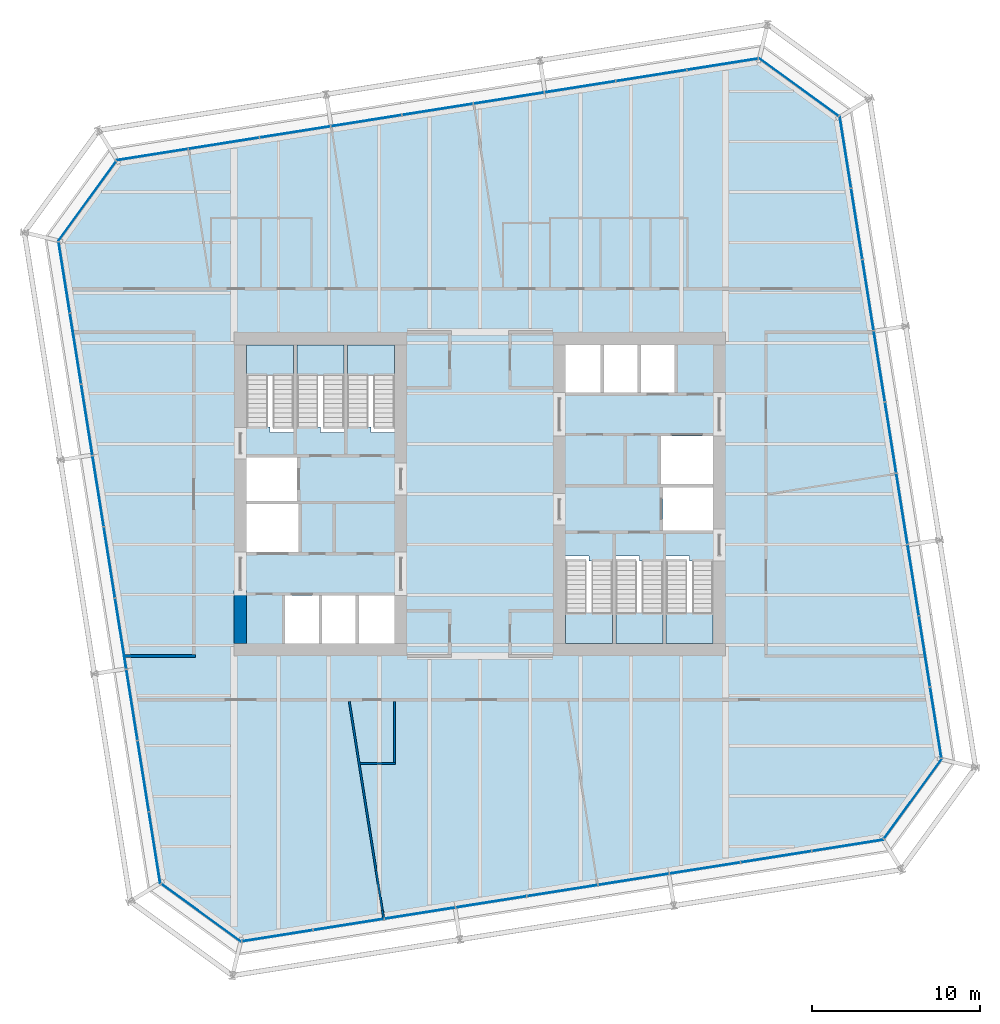
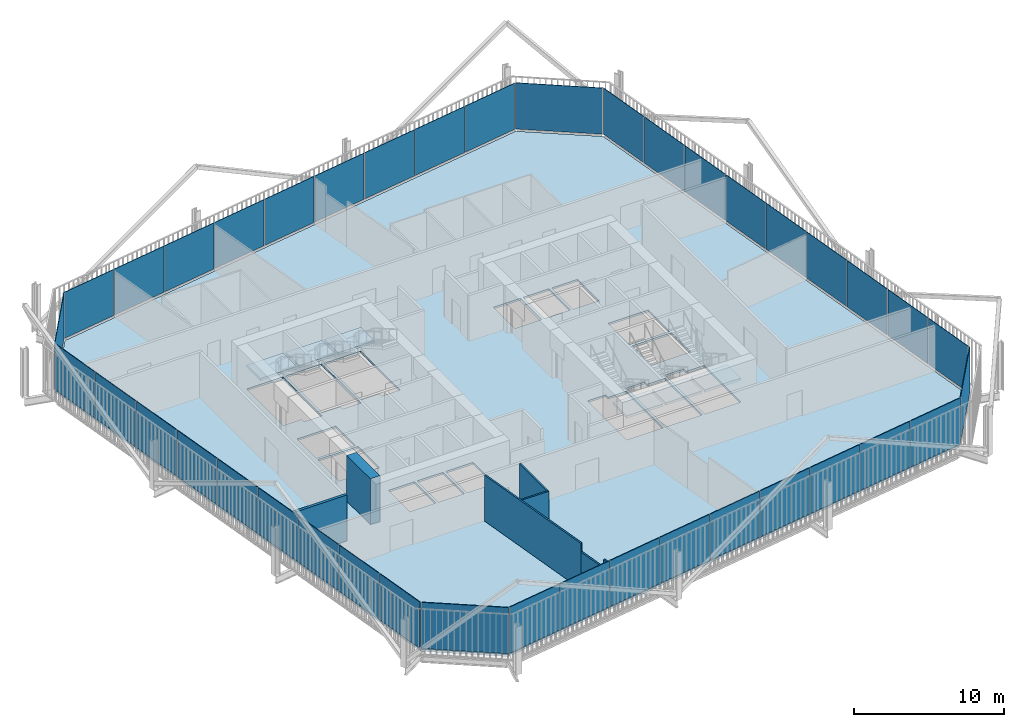
# One storey, part 17 of 22: 40 plates, 7 slabs, 7 walls, 14 elements without a shape of their own.
"""IFC4 building model written with IfcOpenShell, lengths in metres."""

from ifc_helpers import new_model, si_unit, direction, frame, frame_2d, origin, place, context, subcontext, project, spatial, polyline, rectangle, outline, extrude, material, layer, layer_set, type_object, element, aggregate, save


model = new_model("IFC4")

# Units and contexts
model_context = context("Model", 3, precision=1e-05, world=origin(), true_north=direction((0.0, 1.0)))
body_context = subcontext(model_context, "Body", "Model", "MODEL_VIEW")
ifc_project = project(units=[si_unit("LENGTHUNIT", "METRE"), si_unit("AREAUNIT", "SQUARE_METRE"), si_unit("VOLUMEUNIT", "CUBIC_METRE"), si_unit("PLANEANGLEUNIT", "RADIAN"), si_unit("MASSUNIT", "GRAM", prefix="KILO")], contexts=[model_context])

# Site, building, storey
site_placement = place(None, origin())
site = spatial("IfcSite", under=ifc_project, at=site_placement, CompositionType="ELEMENT")
building_placement = place(site_placement, origin())
building = spatial("IfcBuilding", under=site, at=building_placement, Name="Millrace Tower", CompositionType="ELEMENT")
storey_placement = place(building_placement, frame((0.0, 0.0, 180.0)))
storey = spatial("IfcBuildingStorey", under=building, at=storey_placement, Name="L40", CompositionType="ELEMENT", Elevation=180.0)

# Curtain wall, plate
ifc_material_1 = material(Name="Aluminium and glass", Category="aluminium")
ifc_layer_1 = layer(ifc_material_1, 0.14990234375)
ifc_layer_set_1 = layer_set([ifc_layer_1], Name="Aluminium and glass")
curtain_wall_type = type_object("IfcCurtainWallType", Name="CW-1 office vision curtain wall", PredefinedType="NOTDEFINED", material=ifc_layer_set_1)
placement_1 = place(storey_placement, origin())
curtain_wall_1 = element("IfcCurtainWall", 1, at=placement_1, inside=storey, type_object=curtain_wall_type, Name="Curtain wall C-F01 L40", PredefinedType="NOTDEFINED")
ifc_material_2 = material(Name="Glass", Category="glass")
ifc_layer_2 = layer(ifc_material_2, 0.0439453125)
ifc_layer_set_2 = layer_set([ifc_layer_2], Name="Glass")
plate_type = type_object("IfcPlateType", Name="CW-1 office vision curtain wall triple-glazed vision panel", PredefinedType="CURTAIN_PANEL", material=ifc_layer_set_2)
placement_2 = place(storey_placement, frame((0.0, 0.0, 0.139892578125)))
plate_1 = element("IfcPlate", 2, at=placement_2, type_object=plate_type, Name="CW1 panel C-F01.1", PredefinedType="CURTAIN_PANEL", context=body_context, shape_type="SweptSolid", body=[
    extrude(outline(polyline([(-18.988037109375, -23.254638671875), (-14.260009765625, -26.689697265625), (-14.2490234375, -26.6435546875), (-18.962158203125, -23.218994140625), (-18.988037109375, -23.254638671875)])), origin(), (0.0, 0.0, 1.0), 3.760009765625),
])
aggregate(curtain_wall_1, [plate_1])

# Curtain wall, plates
curtain_wall_2 = element("IfcCurtainWall", 3, at=placement_1, inside=storey, type_object=curtain_wall_type, Name="Curtain wall C-F02 L40", PredefinedType="NOTDEFINED")
plate_2 = element("IfcPlate", 4, at=placement_2, type_object=plate_type, Name="CW1 panel C-F02.1", PredefinedType="CURTAIN_PANEL", context=body_context, shape_type="SweptSolid", body=[
    extrude(outline(polyline([(-14.15625, -26.67333984375), (-9.973388671875, -26.0107421875), (-9.980224609375, -25.96728515625), (-14.1630859375, -26.6298828125), (-14.15625, -26.67333984375)])), origin(), (0.0, 0.0, 1.0), 3.760009765625),
])
plate_3 = element("IfcPlate", 5, at=placement_2, type_object=plate_type, Name="CW1 panel C-F02.2", PredefinedType="CURTAIN_PANEL", context=body_context, shape_type="SweptSolid", body=[
    extrude(outline(polyline([(-9.9091796875, -26.000732421875), (-5.726318359375, -25.338134765625), (-5.733154296875, -25.294677734375), (-9.916015625, -25.957275390625), (-9.9091796875, -26.000732421875)])), origin(), (0.0, 0.0, 1.0), 3.760009765625),
])
plate_4 = element("IfcPlate", 6, at=placement_2, type_object=plate_type, Name="CW1 panel C-F02.3", PredefinedType="CURTAIN_PANEL", context=body_context, shape_type="SweptSolid", body=[
    extrude(outline(polyline([(-5.662109375, -25.327880859375), (-1.479248046875, -24.66552734375), (-1.486083984375, -24.6220703125), (-5.6689453125, -25.284423828125), (-5.662109375, -25.327880859375)])), origin(), (0.0, 0.0, 1.0), 3.760009765625),
])
plate_5 = element("IfcPlate", 7, at=placement_2, type_object=plate_type, Name="CW1 panel C-F02.4", PredefinedType="CURTAIN_PANEL", context=body_context, shape_type="SweptSolid", body=[
    extrude(outline(polyline([(-1.4150390625, -24.6552734375), (2.767822265625, -23.992919921875), (2.760986328125, -23.949462890625), (-1.421875, -24.61181640625), (-1.4150390625, -24.6552734375)])), origin(), (0.0, 0.0, 1.0), 3.760009765625),
])
plate_6 = element("IfcPlate", 8, at=placement_2, type_object=plate_type, Name="CW1 panel C-F02.5", PredefinedType="CURTAIN_PANEL", context=body_context, shape_type="SweptSolid", body=[
    extrude(outline(polyline([(2.83203125, -23.982666015625), (7.014892578125, -23.320068359375), (7.008056640625, -23.276611328125), (2.8251953125, -23.939208984375), (2.83203125, -23.982666015625)])), origin(), (0.0, 0.0, 1.0), 3.760009765625),
])
plate_7 = element("IfcPlate", 9, at=placement_2, type_object=plate_type, Name="CW1 panel C-F02.6", PredefinedType="CURTAIN_PANEL", context=body_context, shape_type="SweptSolid", body=[
    extrude(outline(polyline([(7.0791015625, -23.31005859375), (11.261962890625, -22.6474609375), (11.255126953125, -22.60400390625), (7.072265625, -23.2666015625), (7.0791015625, -23.31005859375)])), origin(), (0.0, 0.0, 1.0), 3.760009765625),
])
plate_8 = element("IfcPlate", 10, at=placement_2, type_object=plate_type, Name="CW1 panel C-F02.7", PredefinedType="CURTAIN_PANEL", context=body_context, shape_type="SweptSolid", body=[
    extrude(outline(polyline([(11.326171875, -22.63720703125), (15.509033203125, -21.974853515625), (15.502197265625, -21.931396484375), (11.3193359375, -22.59375), (11.326171875, -22.63720703125)])), origin(), (0.0, 0.0, 1.0), 3.760009765625),
])
plate_9 = element("IfcPlate", 11, at=placement_2, type_object=plate_type, Name="CW1 panel C-F02.8", PredefinedType="CURTAIN_PANEL", context=body_context, shape_type="SweptSolid", body=[
    extrude(outline(polyline([(15.5732421875, -21.964599609375), (19.756103515625, -21.30224609375), (19.749267578125, -21.2587890625), (15.56640625, -21.921142578125), (15.5732421875, -21.964599609375)])), origin(), (0.0, 0.0, 1.0), 3.760009765625),
])
plate_10 = element("IfcPlate", 12, at=placement_2, type_object=plate_type, Name="CW1 panel C-F02.9", PredefinedType="CURTAIN_PANEL", context=body_context, shape_type="SweptSolid", body=[
    extrude(outline(polyline([(19.8203125, -21.2919921875), (24.042724609375, -20.623291015625), (24.01806640625, -20.58251953125), (19.8134765625, -21.24853515625), (19.8203125, -21.2919921875)])), origin(), (0.0, 0.0, 1.0), 3.760009765625),
])
aggregate(curtain_wall_2, [plate_2, plate_3, plate_4, plate_5, plate_6, plate_7, plate_8, plate_9, plate_10])

# Curtain wall, plate
curtain_wall_3 = element("IfcCurtainWall", 13, at=placement_1, inside=storey, type_object=curtain_wall_type, Name="Curtain wall C-F03 L40", PredefinedType="NOTDEFINED")
plate_11 = element("IfcPlate", 14, at=placement_2, type_object=plate_type, Name="CW1 panel C-F03.1", PredefinedType="CURTAIN_PANEL", context=body_context, shape_type="SweptSolid", body=[
    extrude(outline(polyline([(24.104736328125, -20.5380859375), (27.539794921875, -15.81005859375), (27.493408203125, -15.799072265625), (24.069091796875, -20.51220703125), (24.104736328125, -20.5380859375)])), origin(), (0.0, 0.0, 1.0), 3.760009765625),
])
aggregate(curtain_wall_3, [plate_11])

# Curtain wall, plates
curtain_wall_4 = element("IfcCurtainWall", 15, at=placement_1, inside=storey, type_object=curtain_wall_type, Name="Curtain wall C-F04 L40", PredefinedType="NOTDEFINED")
plate_12 = element("IfcPlate", 16, at=placement_2, type_object=plate_type, Name="CW1 panel C-F04.1", PredefinedType="CURTAIN_PANEL", context=body_context, shape_type="SweptSolid", body=[
    extrude(outline(polyline([(27.5234375, -15.706298828125), (26.86083984375, -11.5234375), (26.8173828125, -11.5302734375), (27.47998046875, -15.713134765625), (27.5234375, -15.706298828125)])), origin(), (0.0, 0.0, 1.0), 3.760009765625),
])
plate_13 = element("IfcPlate", 17, at=placement_2, type_object=plate_type, Name="CW1 panel C-F04.2", PredefinedType="CURTAIN_PANEL", context=body_context, shape_type="SweptSolid", body=[
    extrude(outline(polyline([(26.8505859375, -11.459228515625), (26.188232421875, -7.2763671875), (26.144775390625, -7.283203125), (26.80712890625, -11.466064453125), (26.8505859375, -11.459228515625)])), origin(), (0.0, 0.0, 1.0), 3.760009765625),
])
plate_14 = element("IfcPlate", 18, at=placement_2, type_object=plate_type, Name="CW1 panel C-F04.3", PredefinedType="CURTAIN_PANEL", context=body_context, shape_type="SweptSolid", body=[
    extrude(outline(polyline([(26.177978515625, -7.212158203125), (25.515380859375, -3.029296875), (25.471923828125, -3.0361328125), (26.134521484375, -7.218994140625), (26.177978515625, -7.212158203125)])), origin(), (0.0, 0.0, 1.0), 3.760009765625),
])
plate_15 = element("IfcPlate", 19, at=placement_2, type_object=plate_type, Name="CW1 panel C-F04.4", PredefinedType="CURTAIN_PANEL", context=body_context, shape_type="SweptSolid", body=[
    extrude(outline(polyline([(25.50537109375, -2.965087890625), (24.8427734375, 1.2177734375), (24.79931640625, 1.2109375), (25.4619140625, -2.971923828125), (25.50537109375, -2.965087890625)])), origin(), (0.0, 0.0, 1.0), 3.760009765625),
])
plate_16 = element("IfcPlate", 20, at=placement_2, type_object=plate_type, Name="CW1 panel C-F04.5", PredefinedType="CURTAIN_PANEL", context=body_context, shape_type="SweptSolid", body=[
    extrude(outline(polyline([(24.832763671875, 1.281982421875), (24.170166015625, 5.46484375), (24.126708984375, 5.4580078125), (24.789306640625, 1.275146484375), (24.832763671875, 1.281982421875)])), origin(), (0.0, 0.0, 1.0), 3.760009765625),
])
plate_17 = element("IfcPlate", 21, at=placement_2, type_object=plate_type, Name="CW1 panel C-F04.6", PredefinedType="CURTAIN_PANEL", context=body_context, shape_type="SweptSolid", body=[
    extrude(outline(polyline([(24.159912109375, 5.529052734375), (23.49755859375, 9.7119140625), (23.4541015625, 9.705078125), (24.116455078125, 5.522216796875), (24.159912109375, 5.529052734375)])), origin(), (0.0, 0.0, 1.0), 3.760009765625),
])
plate_18 = element("IfcPlate", 22, at=placement_2, type_object=plate_type, Name="CW1 panel C-F04.7", PredefinedType="CURTAIN_PANEL", context=body_context, shape_type="SweptSolid", body=[
    extrude(outline(polyline([(23.4873046875, 9.776123046875), (22.82470703125, 13.958984375), (22.78125, 13.9521484375), (23.44384765625, 9.769287109375), (23.4873046875, 9.776123046875)])), origin(), (0.0, 0.0, 1.0), 3.760009765625),
])
plate_19 = element("IfcPlate", 23, at=placement_2, type_object=plate_type, Name="CW1 panel C-F04.8", PredefinedType="CURTAIN_PANEL", context=body_context, shape_type="SweptSolid", body=[
    extrude(outline(polyline([(22.814697265625, 14.023193359375), (22.152099609375, 18.2060546875), (22.108642578125, 18.19921875), (22.771240234375, 14.016357421875), (22.814697265625, 14.023193359375)])), origin(), (0.0, 0.0, 1.0), 3.760009765625),
])
plate_20 = element("IfcPlate", 24, at=placement_2, type_object=plate_type, Name="CW1 panel C-F04.9", PredefinedType="CURTAIN_PANEL", context=body_context, shape_type="SweptSolid", body=[
    extrude(outline(polyline([(22.14208984375, 18.270263671875), (21.47314453125, 22.492919921875), (21.4326171875, 22.468017578125), (22.0986328125, 18.263427734375), (22.14208984375, 18.270263671875)])), origin(), (0.0, 0.0, 1.0), 3.760009765625),
])
aggregate(curtain_wall_4, [plate_12, plate_13, plate_14, plate_15, plate_16, plate_17, plate_18, plate_19, plate_20])

# Curtain wall, plate
curtain_wall_5 = element("IfcCurtainWall", 25, at=placement_1, inside=storey, type_object=curtain_wall_type, Name="Curtain wall C-F05 L40", PredefinedType="NOTDEFINED")
plate_21 = element("IfcPlate", 26, at=placement_2, type_object=plate_type, Name="CW1 panel C-F05.1", PredefinedType="CURTAIN_PANEL", context=body_context, shape_type="SweptSolid", body=[
    extrude(outline(polyline([(21.38818359375, 22.5546875), (16.66015625, 25.98974609375), (16.64892578125, 25.943359375), (21.3623046875, 22.51904296875), (21.38818359375, 22.5546875)])), origin(), (0.0, 0.0, 1.0), 3.760009765625),
])
aggregate(curtain_wall_5, [plate_21])

# Curtain wall, plates
curtain_wall_6 = element("IfcCurtainWall", 27, at=placement_1, inside=storey, type_object=curtain_wall_type, Name="Curtain wall C-F06 L40", PredefinedType="NOTDEFINED")
plate_22 = element("IfcPlate", 28, at=placement_2, type_object=plate_type, Name="CW1 panel C-F06.1", PredefinedType="CURTAIN_PANEL", context=body_context, shape_type="SweptSolid", body=[
    extrude(outline(polyline([(16.55615234375, 25.973388671875), (12.373291015625, 25.310791015625), (12.380126953125, 25.267333984375), (16.56298828125, 25.929931640625), (16.55615234375, 25.973388671875)])), origin(), (0.0, 0.0, 1.0), 3.760009765625),
])
plate_23 = element("IfcPlate", 29, at=placement_2, type_object=plate_type, Name="CW1 panel C-F06.2", PredefinedType="CURTAIN_PANEL", context=body_context, shape_type="SweptSolid", body=[
    extrude(outline(polyline([(12.30908203125, 25.300537109375), (8.126220703125, 24.63818359375), (8.133056640625, 24.5947265625), (12.31591796875, 25.257080078125), (12.30908203125, 25.300537109375)])), origin(), (0.0, 0.0, 1.0), 3.760009765625),
])
plate_24 = element("IfcPlate", 30, at=placement_2, type_object=plate_type, Name="CW1 panel C-F06.3", PredefinedType="CURTAIN_PANEL", context=body_context, shape_type="SweptSolid", body=[
    extrude(outline(polyline([(8.06201171875, 24.6279296875), (3.879150390625, 23.965576171875), (3.885986328125, 23.922119140625), (8.06884765625, 24.58447265625), (8.06201171875, 24.6279296875)])), origin(), (0.0, 0.0, 1.0), 3.760009765625),
])
plate_25 = element("IfcPlate", 31, at=placement_2, type_object=plate_type, Name="CW1 panel C-F06.4", PredefinedType="CURTAIN_PANEL", context=body_context, shape_type="SweptSolid", body=[
    extrude(outline(polyline([(3.81494140625, 23.955322265625), (-0.367919921875, 23.292724609375), (-0.361083984375, 23.249267578125), (3.82177734375, 23.911865234375), (3.81494140625, 23.955322265625)])), origin(), (0.0, 0.0, 1.0), 3.760009765625),
])
plate_26 = element("IfcPlate", 32, at=placement_2, type_object=plate_type, Name="CW1 panel C-F06.5", PredefinedType="CURTAIN_PANEL", context=body_context, shape_type="SweptSolid", body=[
    extrude(outline(polyline([(-0.43212890625, 23.28271484375), (-4.614990234375, 22.6201171875), (-4.60791015625, 22.57666015625), (-0.42529296875, 23.2392578125), (-0.43212890625, 23.28271484375)])), origin(), (0.0, 0.0, 1.0), 3.760009765625),
])
plate_27 = element("IfcPlate", 33, at=placement_2, type_object=plate_type, Name="CW1 panel C-F06.6", PredefinedType="CURTAIN_PANEL", context=body_context, shape_type="SweptSolid", body=[
    extrude(outline(polyline([(-4.67919921875, 22.60986328125), (-8.862060546875, 21.947509765625), (-8.85498046875, 21.904052734375), (-4.672119140625, 22.56640625), (-4.67919921875, 22.60986328125)])), origin(), (0.0, 0.0, 1.0), 3.760009765625),
])
plate_28 = element("IfcPlate", 34, at=placement_2, type_object=plate_type, Name="CW1 panel C-F06.7", PredefinedType="CURTAIN_PANEL", context=body_context, shape_type="SweptSolid", body=[
    extrude(outline(polyline([(-8.92626953125, 21.937255859375), (-13.109130859375, 21.27490234375), (-13.10205078125, 21.2314453125), (-8.919189453125, 21.893798828125), (-8.92626953125, 21.937255859375)])), origin(), (0.0, 0.0, 1.0), 3.760009765625),
])
plate_29 = element("IfcPlate", 35, at=placement_2, type_object=plate_type, Name="CW1 panel C-F06.8", PredefinedType="CURTAIN_PANEL", context=body_context, shape_type="SweptSolid", body=[
    extrude(outline(polyline([(-13.17333984375, 21.2646484375), (-17.356201171875, 20.60205078125), (-17.34912109375, 20.55859375), (-13.166259765625, 21.22119140625), (-13.17333984375, 21.2646484375)])), origin(), (0.0, 0.0, 1.0), 3.760009765625),
])
plate_30 = element("IfcPlate", 36, at=placement_2, type_object=plate_type, Name="CW1 panel C-F06.9", PredefinedType="CURTAIN_PANEL", context=body_context, shape_type="SweptSolid", body=[
    extrude(outline(polyline([(-17.42041015625, 20.592041015625), (-21.642822265625, 19.923095703125), (-21.617919921875, 19.882568359375), (-17.413330078125, 20.548583984375), (-17.42041015625, 20.592041015625)])), origin(), (0.0, 0.0, 1.0), 3.760009765625),
])
aggregate(curtain_wall_6, [plate_22, plate_23, plate_24, plate_25, plate_26, plate_27, plate_28, plate_29, plate_30])

# Curtain wall, plate
curtain_wall_7 = element("IfcCurtainWall", 37, at=placement_1, inside=storey, type_object=curtain_wall_type, Name="Curtain wall C-F07 L40", PredefinedType="NOTDEFINED")
plate_31 = element("IfcPlate", 38, at=placement_2, type_object=plate_type, Name="CW1 panel C-F07.1", PredefinedType="CURTAIN_PANEL", context=body_context, shape_type="SweptSolid", body=[
    extrude(outline(polyline([(-21.70458984375, 19.838134765625), (-25.139892578125, 15.110107421875), (-25.093505859375, 15.098876953125), (-21.6689453125, 19.812255859375), (-21.70458984375, 19.838134765625)])), origin(), (0.0, 0.0, 1.0), 3.760009765625),
])
aggregate(curtain_wall_7, [plate_31])

# Curtain wall, plates
curtain_wall_8 = element("IfcCurtainWall", 39, at=placement_1, inside=storey, type_object=curtain_wall_type, Name="Curtain wall C-F08 L40", PredefinedType="NOTDEFINED")
plate_32 = element("IfcPlate", 40, at=placement_2, type_object=plate_type, Name="CW1 panel C-F08.1", PredefinedType="CURTAIN_PANEL", context=body_context, shape_type="SweptSolid", body=[
    extrude(outline(polyline([(-25.123291015625, 15.006103515625), (-24.4609375, 10.8232421875), (-24.41748046875, 10.830322265625), (-25.079833984375, 15.01318359375), (-25.123291015625, 15.006103515625)])), origin(), (0.0, 0.0, 1.0), 3.760009765625),
])
plate_33 = element("IfcPlate", 41, at=placement_2, type_object=plate_type, Name="CW1 panel C-F08.2", PredefinedType="CURTAIN_PANEL", context=body_context, shape_type="SweptSolid", body=[
    extrude(outline(polyline([(-24.45068359375, 10.759033203125), (-23.7880859375, 6.576171875), (-23.74462890625, 6.583251953125), (-24.4072265625, 10.76611328125), (-24.45068359375, 10.759033203125)])), origin(), (0.0, 0.0, 1.0), 3.760009765625),
])
plate_34 = element("IfcPlate", 42, at=placement_2, type_object=plate_type, Name="CW1 panel C-F08.3", PredefinedType="CURTAIN_PANEL", context=body_context, shape_type="SweptSolid", body=[
    extrude(outline(polyline([(-23.778076171875, 6.511962890625), (-23.115478515625, 2.3291015625), (-23.072021484375, 2.336181640625), (-23.734619140625, 6.51904296875), (-23.778076171875, 6.511962890625)])), origin(), (0.0, 0.0, 1.0), 3.760009765625),
])
plate_35 = element("IfcPlate", 43, at=placement_2, type_object=plate_type, Name="CW1 panel C-F08.4", PredefinedType="CURTAIN_PANEL", context=body_context, shape_type="SweptSolid", body=[
    extrude(outline(polyline([(-23.105224609375, 2.264892578125), (-22.44287109375, -1.91796875), (-22.3994140625, -1.910888671875), (-23.061767578125, 2.27197265625), (-23.105224609375, 2.264892578125)])), origin(), (0.0, 0.0, 1.0), 3.760009765625),
])
plate_36 = element("IfcPlate", 44, at=placement_2, type_object=plate_type, Name="CW1 panel C-F08.5", PredefinedType="CURTAIN_PANEL", context=body_context, shape_type="SweptSolid", body=[
    extrude(outline(polyline([(-22.4326171875, -1.98193359375), (-21.770263671875, -6.164794921875), (-21.726806640625, -6.157958984375), (-22.38916015625, -1.97509765625), (-22.4326171875, -1.98193359375)])), origin(), (0.0, 0.0, 1.0), 3.760009765625),
])
plate_37 = element("IfcPlate", 45, at=placement_2, type_object=plate_type, Name="CW1 panel C-F08.6", PredefinedType="CURTAIN_PANEL", context=body_context, shape_type="SweptSolid", body=[
    extrude(outline(polyline([(-21.760009765625, -6.22900390625), (-21.097412109375, -10.411865234375), (-21.053955078125, -10.405029296875), (-21.716552734375, -6.22216796875), (-21.760009765625, -6.22900390625)])), origin(), (0.0, 0.0, 1.0), 3.760009765625),
])
plate_38 = element("IfcPlate", 46, at=placement_2, type_object=plate_type, Name="CW1 panel C-F08.7", PredefinedType="CURTAIN_PANEL", context=body_context, shape_type="SweptSolid", body=[
    extrude(outline(polyline([(-21.08740234375, -10.47607421875), (-20.4248046875, -14.658935546875), (-20.38134765625, -14.652099609375), (-21.0439453125, -10.46923828125), (-21.08740234375, -10.47607421875)])), origin(), (0.0, 0.0, 1.0), 3.760009765625),
])
plate_39 = element("IfcPlate", 47, at=placement_2, type_object=plate_type, Name="CW1 panel C-F08.8", PredefinedType="CURTAIN_PANEL", context=body_context, shape_type="SweptSolid", body=[
    extrude(outline(polyline([(-20.41455078125, -14.72314453125), (-19.752197265625, -18.906005859375), (-19.708740234375, -18.899169921875), (-20.37109375, -14.71630859375), (-20.41455078125, -14.72314453125)])), origin(), (0.0, 0.0, 1.0), 3.760009765625),
])
plate_40 = element("IfcPlate", 48, at=placement_2, type_object=plate_type, Name="CW1 panel C-F08.9", PredefinedType="CURTAIN_PANEL", context=body_context, shape_type="SweptSolid", body=[
    extrude(outline(polyline([(-19.741943359375, -18.97021484375), (-19.0732421875, -23.19287109375), (-19.032470703125, -23.16796875), (-19.698486328125, -18.96337890625), (-19.741943359375, -18.97021484375)])), origin(), (0.0, 0.0, 1.0), 3.760009765625),
])
aggregate(curtain_wall_8, [plate_32, plate_33, plate_34, plate_35, plate_36, plate_37, plate_38, plate_39, plate_40])

# Slab
ifc_material_3 = material(Name="Concrete C35 on steel deck", Category="concrete")
ifc_layer_3 = layer(ifc_material_3, 0.159912109375)
ifc_layer_set_3 = layer_set([ifc_layer_3], Name="Concrete C35 on steel deck")
slab_type_1 = type_object("IfcSlabType", Name="Composite floor slab 160 mm", PredefinedType="FLOOR", material=ifc_layer_set_3)
slab_1_placement = place(storey_placement, frame((0.0, 0.0, -0.159912109375)))
element("IfcSlab", 49, at=slab_1_placement, inside=storey, type_object=slab_type_1, Name="SL-C-L40-S1", PredefinedType="FLOOR", context=body_context, shape_type="SweptSolid", body=[
    extrude(outline(polyline([(-18.983642578125, -23.137939453125), (-14.235595703125, -26.587646484375), (23.988037109375, -20.53369140625), (27.437744140625, -15.78564453125), (21.3837890625, 22.43798828125), (16.635498046875, 25.8876953125), (-21.587890625, 19.833740234375), (-25.03759765625, 15.08544921875), (-18.983642578125, -23.137939453125)]), holes=[polyline([(-11.60009765625, -8.89990234375), (-9.60009765625, -8.89990234375), (-9.60009765625, -6.050048828125), (-11.60009765625, -6.050048828125), (-11.60009765625, -8.89990234375)]), polyline([(-9.39990234375, -8.89990234375), (-7.39990234375, -8.89990234375), (-7.39990234375, -6.050048828125), (-9.39990234375, -6.050048828125), (-9.39990234375, -8.89990234375)]), polyline([(-7.199951171875, -8.89990234375), (-5.10009765625, -8.89990234375), (-5.10009765625, -6.050048828125), (-7.199951171875, -6.050048828125), (-7.199951171875, -8.89990234375)]), polyline([(-13.89990234375, -3.449951171875), (-10.800048828125, -3.449951171875), (-10.800048828125, -0.60009765625), (-13.89990234375, -0.60009765625), (-13.89990234375, -3.449951171875)]), polyline([(-13.89990234375, -0.39990234375), (-10.89990234375, -0.39990234375), (-10.89990234375, 2.179931640625), (-13.89990234375, 2.179931640625), (-13.89990234375, -0.39990234375)]), polyline([(-11.10009765625, 8.89990234375), (-12.5, 8.89990234375), (-13.89990234375, 8.89990234375), (-13.89990234375, 4.0), (-12.5, 4.0), (-12.5, 3.679931640625), (-11.10009765625, 3.679931640625), (-11.10009765625, 8.89990234375)]), polyline([(-8.10009765625, 8.89990234375), (-9.5, 8.89990234375), (-10.89990234375, 8.89990234375), (-10.89990234375, 4.0), (-9.5, 4.0), (-9.5, 3.679931640625), (-8.10009765625, 3.679931640625), (-8.10009765625, 8.89990234375)]), polyline([(-5.10009765625, 8.89990234375), (-6.5, 8.89990234375), (-7.89990234375, 8.89990234375), (-7.89990234375, 4.0), (-6.5, 4.0), (-6.5, 3.679931640625), (-5.10009765625, 3.679931640625), (-5.10009765625, 8.89990234375)]), polyline([(9.60009765625, 6.050048828125), (11.60009765625, 6.050048828125), (11.60009765625, 8.89990234375), (9.60009765625, 8.89990234375), (9.60009765625, 6.050048828125)]), polyline([(7.39990234375, 6.050048828125), (9.39990234375, 6.050048828125), (9.39990234375, 8.89990234375), (7.39990234375, 8.89990234375), (7.39990234375, 6.050048828125)]), polyline([(5.10009765625, 6.050048828125), (7.199951171875, 6.050048828125), (7.199951171875, 8.89990234375), (5.10009765625, 8.89990234375), (5.10009765625, 6.050048828125)]), polyline([(10.800048828125, 0.60009765625), (13.89990234375, 0.60009765625), (13.89990234375, 3.449951171875), (10.800048828125, 3.449951171875), (10.800048828125, 0.60009765625)]), polyline([(10.89990234375, -2.179931640625), (13.89990234375, -2.179931640625), (13.89990234375, 0.39990234375), (10.89990234375, 0.39990234375), (10.89990234375, -2.179931640625)]), polyline([(13.89990234375, -4.0), (12.5, -4.0), (12.5, -3.679931640625), (11.10009765625, -3.679931640625), (11.10009765625, -8.89990234375), (12.5, -8.89990234375), (13.89990234375, -8.89990234375), (13.89990234375, -4.0)]), polyline([(10.89990234375, -4.0), (9.5, -4.0), (9.5, -3.679931640625), (8.10009765625, -3.679931640625), (8.10009765625, -8.89990234375), (9.5, -8.89990234375), (10.89990234375, -8.89990234375), (10.89990234375, -4.0)]), polyline([(7.89990234375, -4.0), (6.5, -4.0), (6.5, -3.679931640625), (5.10009765625, -3.679931640625), (5.10009765625, -8.89990234375), (6.5, -8.89990234375), (7.89990234375, -8.89990234375), (7.89990234375, -4.0)])]), origin(), (0.0, 0.0, 1.0), 0.159912109375),
])

# Stair, slab
ifc_material_4 = material(Name="Concrete C35", Category="concrete")
stair_type = type_object("IfcStairType", Name="Exit stair", PredefinedType="HALF_TURN_STAIR", material=ifc_material_4)
stair_1 = element("IfcStair", 50, at=placement_1, inside=storey, type_object=stair_type, Name="Stair 1 W L40", PredefinedType="HALF_TURN_STAIR")
ifc_material_5 = material(Name="Concrete C40", Category="concrete")
ifc_layer_4 = layer(ifc_material_5, 0.199951171875)
ifc_layer_set_4 = layer_set([ifc_layer_4], Name="Concrete C40")
slab_type_2 = type_object("IfcSlabType", Name="Stair landing", PredefinedType="LANDING", material=ifc_layer_set_4)
placement_3 = place(storey_placement, frame((0.0, 0.0, 1.75)))
slab_2 = element("IfcSlab", 51, at=placement_3, type_object=slab_type_2, Name="ST12 landing 1", PredefinedType="LANDING", context=body_context, shape_type="SweptSolid", body=[
    extrude(outline(polyline([(-13.89990234375, 7.080078125), (-11.10009765625, 7.080078125), (-11.10009765625, 8.89990234375), (-13.89990234375, 8.89990234375), (-13.89990234375, 7.080078125)])), origin(), (0.0, 0.0, 1.0), 0.199951171875),
])
aggregate(stair_1, [slab_2])

stair_2 = element("IfcStair", 52, at=placement_1, inside=storey, type_object=stair_type, Name="Stair 2 W L40", PredefinedType="HALF_TURN_STAIR")
slab_3 = element("IfcSlab", 53, at=placement_3, type_object=slab_type_2, Name="ST12 landing 1", PredefinedType="LANDING", context=body_context, shape_type="SweptSolid", body=[
    extrude(outline(polyline([(-10.89990234375, 7.080078125), (-8.10009765625, 7.080078125), (-8.10009765625, 8.89990234375), (-10.89990234375, 8.89990234375), (-10.89990234375, 7.080078125)])), origin(), (0.0, 0.0, 1.0), 0.199951171875),
])
aggregate(stair_2, [slab_3])

stair_3 = element("IfcStair", 54, at=placement_1, inside=storey, type_object=stair_type, Name="Stair 3 W L40", PredefinedType="HALF_TURN_STAIR")
slab_4 = element("IfcSlab", 55, at=placement_3, type_object=slab_type_2, Name="ST12 landing 1", PredefinedType="LANDING", context=body_context, shape_type="SweptSolid", body=[
    extrude(outline(polyline([(-7.89990234375, 7.080078125), (-5.10009765625, 7.080078125), (-5.10009765625, 8.89990234375), (-7.89990234375, 8.89990234375), (-7.89990234375, 7.080078125)])), origin(), (0.0, 0.0, 1.0), 0.199951171875),
])
aggregate(stair_3, [slab_4])

stair_4 = element("IfcStair", 56, at=placement_1, inside=storey, type_object=stair_type, Name="Stair 1 E L40", PredefinedType="HALF_TURN_STAIR")
slab_5 = element("IfcSlab", 57, at=placement_3, type_object=slab_type_2, Name="ST12 landing 1", PredefinedType="LANDING", context=body_context, shape_type="SweptSolid", body=[
    extrude(outline(polyline([(11.10009765625, -8.89990234375), (13.89990234375, -8.89990234375), (13.89990234375, -7.080078125), (11.10009765625, -7.080078125), (11.10009765625, -8.89990234375)])), origin(), (0.0, 0.0, 1.0), 0.199951171875),
])
aggregate(stair_4, [slab_5])

stair_5 = element("IfcStair", 58, at=placement_1, inside=storey, type_object=stair_type, Name="Stair 2 E L40", PredefinedType="HALF_TURN_STAIR")
slab_6 = element("IfcSlab", 59, at=placement_3, type_object=slab_type_2, Name="ST12 landing 1", PredefinedType="LANDING", context=body_context, shape_type="SweptSolid", body=[
    extrude(outline(polyline([(8.10009765625, -8.89990234375), (10.89990234375, -8.89990234375), (10.89990234375, -7.080078125), (8.10009765625, -7.080078125), (8.10009765625, -8.89990234375)])), origin(), (0.0, 0.0, 1.0), 0.199951171875),
])
aggregate(stair_5, [slab_6])

stair_6 = element("IfcStair", 60, at=placement_1, inside=storey, type_object=stair_type, Name="Stair 3 E L40", PredefinedType="HALF_TURN_STAIR")
slab_7 = element("IfcSlab", 61, at=placement_3, type_object=slab_type_2, Name="ST12 landing 1", PredefinedType="LANDING", context=body_context, shape_type="SweptSolid", body=[
    extrude(outline(polyline([(5.10009765625, -8.89990234375), (7.89990234375, -8.89990234375), (7.89990234375, -7.080078125), (5.10009765625, -7.080078125), (5.10009765625, -8.89990234375)])), origin(), (0.0, 0.0, 1.0), 0.199951171875),
])
aggregate(stair_6, [slab_7])

# Walls
ifc_material_6 = material(Name="Concrete C70", Category="concrete")
ifc_layer_5 = layer(ifc_material_6, 0.75)
ifc_layer_set_5 = layer_set([ifc_layer_5], Name="Concrete C70")
wall_type_1 = type_object("IfcWallType", Name="Core wall 750 Concrete C70", PredefinedType="SHEAR", material=ifc_layer_set_5)
wall_1_placement = place(storey_placement, frame((-14.27490234375, -8.89990234375, 0.0), z_axis=(0.0, 0.0, 1.0), x_axis=(0.0, 1.0, 0.0)))
element("IfcWall", 62, at=wall_1_placement, inside=storey, type_object=wall_type_1, Name="Core wall W L40", PredefinedType="SHEAR", context=body_context, shape_type="SweptSolid", body=[
    extrude(rectangle(XDim=3.14990234375, YDim=0.75, at=frame_2d((1.574951171875, 0.0))), origin(), (0.0, 0.0, 1.0), 3.739990234375),
])
ifc_material_7 = material(Name="Masonry partition, fire-rated", Category="masonry")
ifc_layer_6 = layer(ifc_material_7, 0.199951171875)
ifc_layer_set_6 = layer_set([ifc_layer_6], Name="Masonry partition, fire-rated")
wall_type_2 = type_object("IfcWallType", Name="Corridor wall 200", PredefinedType="PARTITIONING", material=ifc_layer_set_6)
wall_2_placement = place(storey_placement, frame((-21.150390625, -9.64990234375, 0.0), z_axis=(0.0, 0.0, 1.0), x_axis=(1.0, 0.0, 0.0)))
element("IfcWall", 63, at=wall_2_placement, inside=storey, type_object=wall_type_2, Name="Corridor wall L40", PredefinedType="PARTITIONING", context=body_context, shape_type="SweptSolid", body=[
    extrude(rectangle(XDim=4.200439453125, YDim=0.199951171875, at=frame_2d((2.10009765625, 0.0))), origin(), (0.0, 0.0, 1.0), 3.739990234375),
])
ifc_material_8 = material(Name="Gypsum board partition")
ifc_layer_7 = layer(ifc_material_8, 0.1201171875)
ifc_layer_set_7 = layer_set([ifc_layer_7], Name="Gypsum board partition")
wall_type_3 = type_object("IfcWallType", Name="Partition wall 120", PredefinedType="PARTITIONING", material=ifc_layer_set_7)
wall_3_placement = place(storey_placement, frame((-7.783447265625, -12.348876953125, 0.0), z_axis=(0.0, 0.0, 1.0), x_axis=(0.156482523435, -0.987680727695, 0.0)))
element("IfcWall", 64, at=wall_3_placement, inside=storey, type_object=wall_type_3, Name="Partition wall L40", PredefinedType="PARTITIONING", context=body_context, shape_type="SweptSolid", body=[
    extrude(rectangle(XDim=10.198974609375, YDim=0.1201171875, at=frame_2d((5.099609375, 0.0))), origin(), (0.0, 0.0, 1.0), 3.739990234375),
])
wall_4_placement = place(storey_placement, frame((-6.1875, -22.422119140625, 0.0), z_axis=(0.0, 0.0, 1.0), x_axis=(0.156448980075, -0.98768604153, 0.0)))
element("IfcWall", 65, at=wall_4_placement, inside=storey, type_object=wall_type_3, Name="Partition wall L40", PredefinedType="PARTITIONING", context=body_context, shape_type="SweptSolid", body=[
    extrude(rectangle(XDim=2.39697265625, YDim=0.1201171875, at=frame_2d((1.198486328125, 0.0))), origin(), (0.0, 0.0, 1.0), 3.046630859375),
])
wall_5_placement = place(storey_placement, frame((-5.8125, -24.78955078125, 0.0), z_axis=(0.0, 0.0, 1.0), x_axis=(0.156450237182, -0.987685842404, 0.0)))
element("IfcWall", 66, at=wall_5_placement, inside=storey, type_object=wall_type_3, Name="Partition wall L40", PredefinedType="PARTITIONING", context=body_context, shape_type="SweptSolid", body=[
    extrude(rectangle(XDim=0.488525390625, YDim=0.1201171875, at=frame_2d((0.244140625, 0.0))), origin(), (0.0, 0.0, 1.0), 3.739990234375),
])
wall_6_placement = place(storey_placement, frame((-7.136962890625, -16.050048828125, 0.0), z_axis=(0.0, 0.0, 1.0), x_axis=(1.0, 0.0, 0.0)))
element("IfcWall", 67, at=wall_6_placement, inside=storey, type_object=wall_type_3, Name="Partition wall L40", PredefinedType="PARTITIONING", context=body_context, shape_type="SweptSolid", body=[
    extrude(rectangle(XDim=2.097900390625, YDim=0.1201171875, at=frame_2d((1.048828125, 0.0))), origin(), (0.0, 0.0, 1.0), 3.739990234375),
])
wall_7_placement = place(storey_placement, frame((-5.09912109375, -15.989990234375, 0.0), z_axis=(0.0, 0.0, 1.0), x_axis=(0.0, 1.0, 0.0)))
element("IfcWall", 68, at=wall_7_placement, inside=storey, type_object=wall_type_3, Name="Partition wall L40", PredefinedType="PARTITIONING", context=body_context, shape_type="SweptSolid", body=[
    extrude(rectangle(XDim=3.639892578125, YDim=0.1201171875, at=frame_2d((1.81982421875, 0.0))), origin(), (0.0, 0.0, 1.0), 3.739990234375),
])

save(model, "model.ifc")
